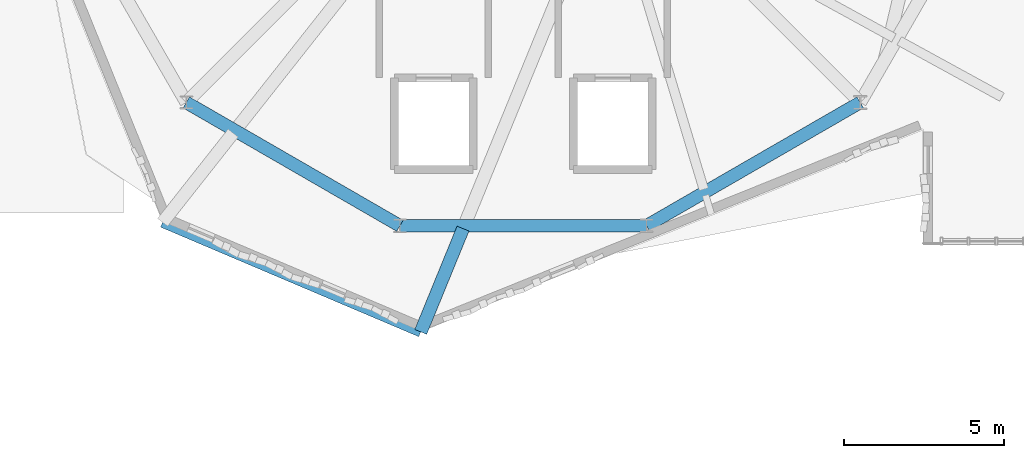
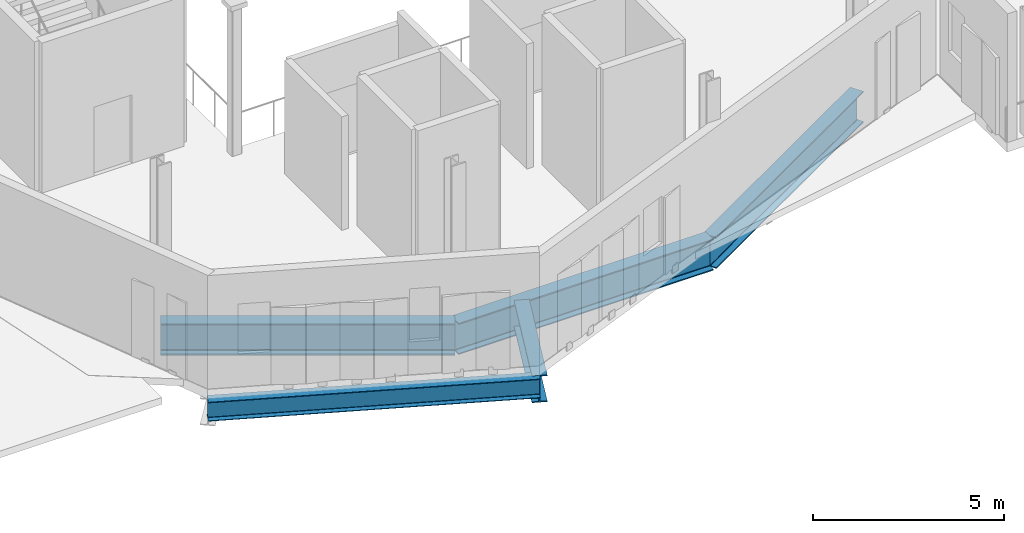
# One storey, part 20 of 122: 5 beams.
"""IFC4 building model written with IfcOpenShell, lengths in metres."""

from ifc_helpers import new_model, si_unit, direction, frame, origin, origin_2d, place, context, subcontext, project, spatial, i_section, extrude, material, material_profile, profile_set, type_object, element, save


model = new_model("IFC4")

# Units and contexts
model_context = context("Model", 3, precision=1e-05, world=origin(), true_north=direction((0.0, 1.0)))
body_context = subcontext(model_context, "Body", "Model", "MODEL_VIEW")
ifc_project = project(units=[si_unit("LENGTHUNIT", "METRE"), si_unit("AREAUNIT", "SQUARE_METRE"), si_unit("VOLUMEUNIT", "CUBIC_METRE"), si_unit("PLANEANGLEUNIT", "RADIAN"), si_unit("MASSUNIT", "GRAM", prefix="KILO"), si_unit("THERMODYNAMICTEMPERATUREUNIT", "KELVIN"), si_unit("POWERUNIT", "WATT")], contexts=[model_context])

# Site, building, storey
site_placement = place(None, origin())
site = spatial("IfcSite", under=ifc_project, at=site_placement, CompositionType="ELEMENT")
building_placement = place(site_placement, origin())
building = spatial("IfcBuilding", under=site, at=building_placement, Name="Zelmaris Science Centre", CompositionType="ELEMENT")
storey_placement = place(building_placement, frame((0.0, 0.0, 10.800048828125)))
storey = spatial("IfcBuildingStorey", under=building, at=storey_placement, Name="L02", CompositionType="ELEMENT", Elevation=10.800048828125)

# Beams
ifc_material = material(Name="Steel ASTM A992 Grade 50", Category="steel")
ifc_material_profile_1 = material_profile(ifc_material, i_section(OverallWidth=0.40087890625, OverallDepth=1.0009765625, WebThickness=0.01904296875, FlangeThickness=0.0361328125, FilletRadius=0.02490234375, at=origin_2d()), Name="W40X249")
ifc_profile_set_1 = profile_set([ifc_material_profile_1], Name="Steel ASTM A992 Grade 50")
beam_type_1 = type_object("IfcBeamType", Name="Beam G-22 W40X249", PredefinedType="BEAM", material=ifc_profile_set_1)
for number, where, z_axis, x_axis, name in (
    (1, (70.464111328125, 25.464111328125, -0.800537109375), (0.866021648359, -0.500006504531, 0.0), (0.500006504531, 0.866021648359, 0.0), "L02 Exhibition inner ring girder 8"),
    (2, (77.1435546875, 21.607666015625, -0.800537109375), (1.0, 0.0, 0.0), (0.0, 1.0, 0.0), "L02 Exhibition inner ring girder 9"),
    (3, (84.8564453125, 21.607666015625, -0.800537109375), (0.866021648359, 0.500006504531, 0.0), (-0.500006504531, 0.866021648359, 0.0), "L02 Exhibition inner ring girder 10"),
):
    element("IfcBeam", number, at=place(storey_placement, frame(where, z_axis=z_axis, x_axis=x_axis)), inside=storey, type_object=beam_type_1, Name=name, PredefinedType="BEAM", context=body_context, shape_type="SweptSolid", body=[
        extrude(i_section(OverallWidth=0.40087890625, OverallDepth=1.0009765625, WebThickness=0.01904296875, FlangeThickness=0.0361328125, FilletRadius=0.02490234375, at=origin_2d()), origin(), (0.0, 0.0, 1.0), 7.712890625),
    ])
ifc_material_profile_2 = material_profile(ifc_material, i_section(OverallWidth=0.404052734375, OverallDepth=0.861083984375, WebThickness=0.019775390625, FlangeThickness=0.032470703125, FilletRadius=0.02001953125, at=origin_2d()), Name="W33X221")
ifc_profile_set_2 = profile_set([ifc_material_profile_2], Name="Steel ASTM A992 Grade 50")
beam_type_2 = type_object("IfcBeamType", Name="Beam G-28 W33X221", PredefinedType="BEAM", material=ifc_profile_set_2)
beam_1_placement = place(storey_placement, frame((79.1162109375, 21.519775390625, -0.73046875), z_axis=(-0.378807137529, -0.925475635853, 0.0), x_axis=(0.925475635853, -0.378807137529, 0.0)))
element("IfcBeam", 4, at=beam_1_placement, inside=storey, type_object=beam_type_2, Name="L02 Radial overhang girder 1", PredefinedType="BEAM", context=body_context, shape_type="SweptSolid", body=[
    extrude(i_section(OverallWidth=0.404052734375, OverallDepth=0.861083984375, WebThickness=0.019775390625, FlangeThickness=0.032470703125, FilletRadius=0.02001953125, at=origin_2d()), origin(), (0.0, 0.0, 1.0), 3.49072265625),
])
ifc_material_profile_3 = material_profile(ifc_material, i_section(OverallWidth=0.324951171875, OverallDepth=0.612060546875, WebThickness=0.0126953125, FlangeThickness=0.01904296875, FilletRadius=0.014892578125, at=origin_2d()), Name="W24X104")
ifc_profile_set_3 = profile_set([ifc_material_profile_3], Name="Steel ASTM A992 Grade 50")
beam_type_3 = type_object("IfcBeamType", Name="Beam SP-01 W24X104", PredefinedType="SPANDREL", material=ifc_profile_set_3)
beam_2_placement = place(storey_placement, frame((69.722900390625, 21.715087890625, -0.60595703125), z_axis=(0.920511993367, -0.390714307478, 0.0), x_axis=(0.390714307478, 0.920511993367, 0.0)))
element("IfcBeam", 5, at=beam_2_placement, inside=storey, type_object=beam_type_3, Name="L02 Rotated facade spandrel beam 3", PredefinedType="SPANDREL", context=body_context, shape_type="SweptSolid", body=[
    extrude(i_section(OverallWidth=0.324951171875, OverallDepth=0.612060546875, WebThickness=0.0126953125, FlangeThickness=0.01904296875, FilletRadius=0.014892578125, at=origin_2d()), origin(), (0.0, 0.0, 1.0), 8.76806640625),
])

save(model, "model.ifc")
